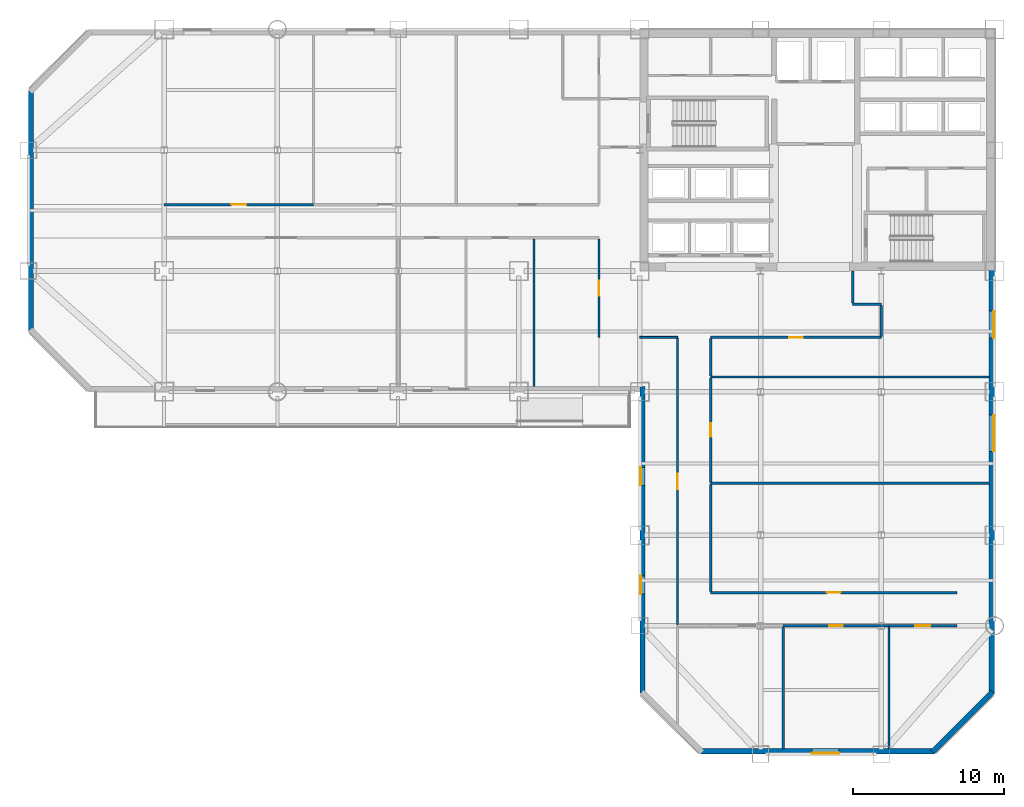
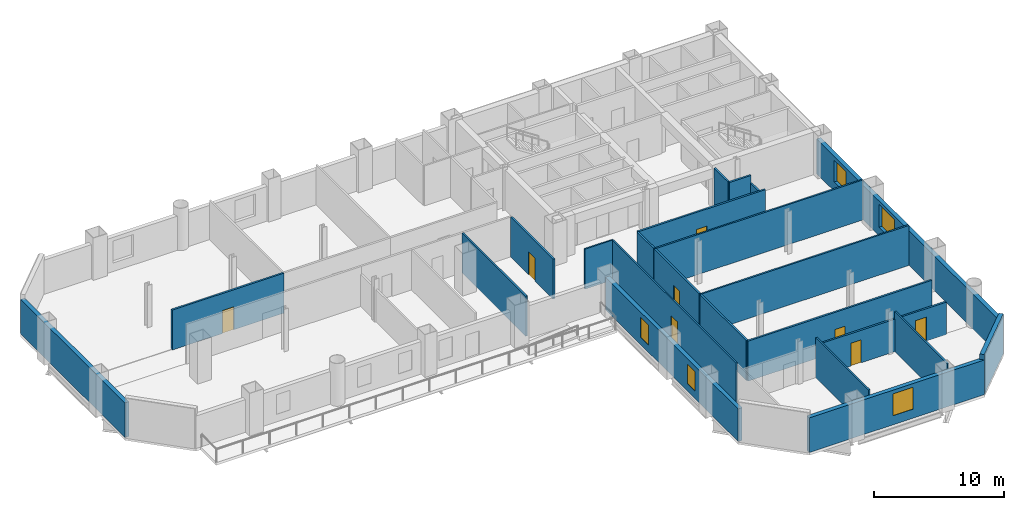
# One storey, part 5 of 9: 24 walls, 8 doors, 5 windows, 13 openings.
"""IFC4 building model written with IfcOpenShell, lengths in metres."""

from ifc_helpers import new_model, si_unit, direction, frame, frame_2d, origin, place, context, subcontext, project, spatial, rectangle, extrude, material, layer, layer_set, type_object, element, fill, save


model = new_model("IFC4")

# Units and contexts
model_context = context("Model", 3, precision=1e-05, world=origin(), true_north=direction((0.0, 1.0)))
body_context = subcontext(model_context, "Body", "Model", "MODEL_VIEW")
ifc_project = project(units=[si_unit("LENGTHUNIT", "METRE"), si_unit("AREAUNIT", "SQUARE_METRE"), si_unit("VOLUMEUNIT", "CUBIC_METRE"), si_unit("PLANEANGLEUNIT", "RADIAN"), si_unit("MASSUNIT", "GRAM", prefix="KILO")], contexts=[model_context])

# Site, building, storey
site_placement = place(None, origin())
site = spatial("IfcSite", under=ifc_project, at=site_placement, CompositionType="ELEMENT")
building_placement = place(site_placement, origin())
building = spatial("IfcBuilding", under=site, at=building_placement, Name="Qianrong Seaharbour Tower", CompositionType="ELEMENT")
storey_placement = place(building_placement, frame((0.0, 0.0, 100.199951171875)))
storey = spatial("IfcBuildingStorey", under=building, at=storey_placement, Name="L24", CompositionType="ELEMENT", Elevation=100.199951171875)

# Wall, opening, door
ifc_material_1 = material(Name="Fire-rated acoustic gypsum board partition")
ifc_layer_1 = layer(ifc_material_1, 0.1650390625)
ifc_layer_set_1 = layer_set([ifc_layer_1], Name="Fire-rated acoustic gypsum board partition")
wall_type_1 = type_object("IfcWallType", Name="WALL-CORR-PART-165", PredefinedType="PARTITIONING", material=ifc_layer_set_1)
wall_1_placement = place(storey_placement, frame((9.0, 40.39990234375, 0.0), z_axis=(0.0, 0.0, 1.0), x_axis=(1.0, 0.0, 0.0)))
wall_1 = element("IfcWall", 1, at=wall_1_placement, inside=storey, type_object=wall_type_1, Name="L24 Interior Partition Wall 015", PredefinedType="PARTITIONING", context=body_context, shape_type="SweptSolid", body=[
    extrude(rectangle(XDim=9.89990234375, YDim=0.1650390625, at=frame_2d((4.949951171875, 0.0))), origin(), (0.0, 0.0, 1.0), 3.75),
])
opening_1_placement = place(wall_1_placement, frame((4.449951171875, 0.0, 0.0)))
opening_1 = element("IfcOpeningElement", 2, at=opening_1_placement, cuts=wall_1, Name="Opening DO-01", PredefinedType="OPENING", context=body_context, shape_type="SweptSolid", body=[
    extrude(rectangle(XDim=1.0, YDim=2.14990234375, at=frame_2d((0.5, 1.074951171875))), frame((0.0, 0.092529296875, 0.0), z_axis=(0.0, -1.0, 0.0), x_axis=(1.0, 0.0, 0.0)), (0.0, 0.0, 1.0), 0.18505859375),
])
ifc_material_2 = material(Name="Acoustic timber and galvanized steel fire door assembly", Category="steel")
door_type_1 = type_object("IfcDoorType", Name="DOOR-OFFICE-1000x2150", OperationType="NOTDEFINED", PredefinedType="DOOR", material=ifc_material_2)
door_1_placement = place(opening_1_placement, origin())
door_1 = element("IfcDoor", 3, at=door_1_placement, inside=storey, type_object=door_type_1, Name="L24 Legal Support Open-Plan Office Door", OperationType="SINGLE_SWING_LEFT", OverallHeight=2.14990234375, OverallWidth=1.0, PredefinedType="DOOR", context=body_context, shape_type="SweptSolid", body=[
    extrude(rectangle(XDim=1.0, YDim=2.14990234375, at=frame_2d((0.5, 1.074951171875))), frame((0.0, 0.02490234375, 0.0), z_axis=(0.0, -1.0, 0.0), x_axis=(1.0, 0.0, 0.0)), (0.0, 0.0, 1.0), 0.050048828125),
])
fill(opening_1, door_1)

wall_2_placement = place(storey_placement, frame((37.800048828125, 31.60009765625, 0.0), z_axis=(0.0, 0.0, 1.0), x_axis=(0.0, 1.0, 0.0)))
wall_2 = element("IfcWall", 4, at=wall_2_placement, inside=storey, type_object=wall_type_1, Name="L24 Interior Partition Wall 023", PredefinedType="PARTITIONING", context=body_context, shape_type="SweptSolid", body=[
    extrude(rectangle(XDim=6.525390625, YDim=0.1650390625, at=frame_2d((3.2626953125, 0.0))), origin(), (0.0, 0.0, 1.0), 3.75),
])
opening_2_placement = place(wall_2_placement, frame((2.7626953125, 0.0, 0.0)))
opening_2 = element("IfcOpeningElement", 5, at=opening_2_placement, cuts=wall_2, Name="Opening DO-01", PredefinedType="OPENING", context=body_context, shape_type="SweptSolid", body=[
    extrude(rectangle(XDim=1.0, YDim=2.14990234375, at=frame_2d((0.5, 1.074951171875))), frame((0.0, 0.092529296875, 0.0), z_axis=(0.0, -1.0, 0.0), x_axis=(1.0, 0.0, 0.0)), (0.0, 0.0, 1.0), 0.18505859375),
])
door_2_placement = place(opening_2_placement, origin())
door_2 = element("IfcDoor", 6, at=door_2_placement, inside=storey, type_object=door_type_1, Name="L24 Focus Room 3 Door", OperationType="SINGLE_SWING_RIGHT", OverallHeight=2.14990234375, OverallWidth=1.0, PredefinedType="DOOR", context=body_context, shape_type="SweptSolid", body=[
    extrude(rectangle(XDim=1.0, YDim=2.14990234375, at=frame_2d((0.5, 1.074951171875))), frame((0.0, 0.02490234375, 0.0), z_axis=(0.0, -1.0, 0.0), x_axis=(1.0, 0.0, 0.0)), (0.0, 0.0, 1.0), 0.050048828125),
])
fill(opening_2, door_2)

# Walls
wall_3_placement = place(storey_placement, frame((54.60009765625, 36.0, 0.0), z_axis=(0.0, 0.0, 1.0), x_axis=(0.0, -1.0, 0.0)))
element("IfcWall", 7, at=wall_3_placement, inside=storey, type_object=wall_type_1, Name="L24 Interior Partition Wall 024", PredefinedType="PARTITIONING", context=body_context, shape_type="SweptSolid", body=[
    extrude(rectangle(XDim=2.12548828125, YDim=0.1650390625, at=frame_2d((1.062744140625, 0.0))), origin(), (0.0, 0.0, 1.0), 3.75),
])
wall_4_placement = place(storey_placement, frame((54.60009765625, 33.800048828125, 0.0), z_axis=(0.0, 0.0, 1.0), x_axis=(1.0, 0.0, 0.0)))
element("IfcWall", 8, at=wall_4_placement, inside=storey, type_object=wall_type_1, Name="L24 Interior Partition Wall 025", PredefinedType="PARTITIONING", context=body_context, shape_type="SweptSolid", body=[
    extrude(rectangle(XDim=1.89990234375, YDim=0.1650390625, at=frame_2d((0.949951171875, 0.0))), origin(), (0.0, 0.0, 1.0), 3.75),
])
wall_5_placement = place(storey_placement, frame((56.5, 33.7255859375, 0.0), z_axis=(0.0, 0.0, 1.0), x_axis=(0.0, -1.0, 0.0)))
element("IfcWall", 9, at=wall_5_placement, inside=storey, type_object=wall_type_1, Name="L24 Interior Partition Wall 026", PredefinedType="PARTITIONING", context=body_context, shape_type="SweptSolid", body=[
    extrude(rectangle(XDim=2.051025390625, YDim=0.1650390625, at=frame_2d((1.025390625, 0.0))), origin(), (0.0, 0.0, 1.0), 3.0419921875),
])

# Wall, opening, door
wall_6_placement = place(storey_placement, frame((56.5, 31.60009765625, 0.0), z_axis=(0.0, 0.0, 1.0), x_axis=(-1.0, 0.0, 0.0)))
wall_6 = element("IfcWall", 10, at=wall_6_placement, inside=storey, type_object=wall_type_1, Name="L24 Interior Partition Wall 027", PredefinedType="PARTITIONING", context=body_context, shape_type="SweptSolid", body=[
    extrude(rectangle(XDim=11.300048828125, YDim=0.1650390625, at=frame_2d((5.64990234375, 0.0))), origin(), (0.0, 0.0, 1.0), 3.75),
])
opening_3_placement = place(wall_6_placement, frame((5.199951171875, 0.0, 0.0)))
opening_3 = element("IfcOpeningElement", 11, at=opening_3_placement, cuts=wall_6, Name="Opening DS-01", PredefinedType="OPENING", context=body_context, shape_type="SweptSolid", body=[
    extrude(rectangle(XDim=0.89990234375, YDim=2.14990234375, at=frame_2d((0.449951171875, 1.074951171875))), frame((0.0, 0.092529296875, 0.0), z_axis=(0.0, -1.0, 0.0), x_axis=(1.0, 0.0, 0.0)), (0.0, 0.0, 1.0), 0.18505859375),
])
door_type_2 = type_object("IfcDoorType", Name="DOOR-STORE-900x2150", OperationType="NOTDEFINED", PredefinedType="DOOR", material=ifc_material_2)
door_3_placement = place(opening_3_placement, origin())
door_3 = element("IfcDoor", 12, at=door_3_placement, inside=storey, type_object=door_type_2, Name="L24 Document Registry Store 3 Door", OperationType="SINGLE_SWING_LEFT", OverallHeight=2.14990234375, OverallWidth=0.89990234375, PredefinedType="DOOR", context=body_context, shape_type="SweptSolid", body=[
    extrude(rectangle(XDim=0.89990234375, YDim=2.14990234375, at=frame_2d((0.449951171875, 1.074951171875))), frame((0.0, 0.02490234375, 0.0), z_axis=(0.0, -1.0, 0.0), x_axis=(1.0, 0.0, 0.0)), (0.0, 0.0, 1.0), 0.050048828125),
])
fill(opening_3, door_3)

# Wall
wall_7_placement = place(storey_placement, frame((45.199951171875, 21.87548828125, 0.0), z_axis=(0.0, 0.0, 1.0), x_axis=(0.0, -1.0, 0.0)))
element("IfcWall", 13, at=wall_7_placement, inside=storey, type_object=wall_type_1, Name="L24 Interior Partition Wall 029", PredefinedType="PARTITIONING", context=body_context, shape_type="SweptSolid", body=[
    extrude(rectangle(XDim=7.10107421875, YDim=0.1650390625, at=frame_2d((3.550537109375, 0.0))), origin(), (0.0, 0.0, 1.0), 3.75),
])

# Wall, opening, door
wall_8_placement = place(storey_placement, frame((45.199951171875, 28.905517578125, 0.0), z_axis=(0.0, 0.0, 1.0), x_axis=(0.0, -1.0, 0.0)))
wall_8 = element("IfcWall", 14, at=wall_8_placement, inside=storey, type_object=wall_type_1, Name="L24 Interior Partition Wall 030", PredefinedType="PARTITIONING", context=body_context, shape_type="SweptSolid", body=[
    extrude(rectangle(XDim=6.901123046875, YDim=0.1650390625, at=frame_2d((3.45068359375, 0.0))), origin(), (0.0, 0.0, 1.0), 3.75),
])
opening_4_placement = place(wall_8_placement, frame((3.00048828125, 0.0, 0.0)))
opening_4 = element("IfcOpeningElement", 15, at=opening_4_placement, cuts=wall_8, Name="Opening DS-01", PredefinedType="OPENING", context=body_context, shape_type="SweptSolid", body=[
    extrude(rectangle(XDim=0.89990234375, YDim=2.14990234375, at=frame_2d((0.449951171875, 1.074951171875))), frame((0.0, 0.092529296875, 0.0), z_axis=(0.0, -1.0, 0.0), x_axis=(1.0, 0.0, 0.0)), (0.0, 0.0, 1.0), 0.18505859375),
])
door_4_placement = place(opening_4_placement, origin())
door_4 = element("IfcDoor", 16, at=door_4_placement, inside=storey, type_object=door_type_2, Name="L24 Closed File Store 2 Door", OperationType="SINGLE_SWING_RIGHT", OverallHeight=2.14990234375, OverallWidth=0.89990234375, PredefinedType="DOOR", context=body_context, shape_type="SweptSolid", body=[
    extrude(rectangle(XDim=0.89990234375, YDim=2.14990234375, at=frame_2d((0.449951171875, 1.074951171875))), frame((0.0, 0.02490234375, 0.0), z_axis=(0.0, -1.0, 0.0), x_axis=(1.0, 0.0, 0.0)), (0.0, 0.0, 1.0), 0.050048828125),
])
fill(opening_4, door_4)

# Wall
wall_9_placement = place(storey_placement, frame((45.199951171875, 31.525390625, 0.0), z_axis=(0.0, 0.0, 1.0), x_axis=(0.0, -1.0, 0.0)))
element("IfcWall", 17, at=wall_9_placement, inside=storey, type_object=wall_type_1, Name="L24 Interior Partition Wall 031", PredefinedType="PARTITIONING", context=body_context, shape_type="SweptSolid", body=[
    extrude(rectangle(XDim=2.490966796875, YDim=0.1650390625, at=frame_2d((1.24560546875, 0.0))), origin(), (0.0, 0.0, 1.0), 3.75),
])

# Wall, opening, door
wall_10_placement = place(storey_placement, frame((45.199951171875, 14.699951171875, 0.0), z_axis=(0.0, 0.0, 1.0), x_axis=(1.0, 0.0, 0.0)))
wall_10 = element("IfcWall", 18, at=wall_10_placement, inside=storey, type_object=wall_type_1, Name="L24 Interior Partition Wall 034", PredefinedType="PARTITIONING", context=body_context, shape_type="SweptSolid", body=[
    extrude(rectangle(XDim=16.300048828125, YDim=0.1650390625, at=frame_2d((8.14990234375, 0.0))), origin(), (0.0, 0.0, 1.0), 3.75),
])
opening_5_placement = place(wall_10_placement, frame((7.699951171875, 0.0, 0.0)))
opening_5 = element("IfcOpeningElement", 19, at=opening_5_placement, cuts=wall_10, Name="Opening DS-01", PredefinedType="OPENING", context=body_context, shape_type="SweptSolid", body=[
    extrude(rectangle(XDim=0.89990234375, YDim=2.14990234375, at=frame_2d((0.449951171875, 1.074951171875))), frame((0.0, 0.092529296875, 0.0), z_axis=(0.0, -1.0, 0.0), x_axis=(1.0, 0.0, 0.0)), (0.0, 0.0, 1.0), 0.18505859375),
])
door_5_placement = place(opening_5_placement, origin())
door_5 = element("IfcDoor", 20, at=door_5_placement, inside=storey, type_object=door_type_2, Name="L24 Docket Archive Store 1 Door", OperationType="SINGLE_SWING_LEFT", OverallHeight=2.14990234375, OverallWidth=0.89990234375, PredefinedType="DOOR", context=body_context, shape_type="SweptSolid", body=[
    extrude(rectangle(XDim=0.89990234375, YDim=2.14990234375, at=frame_2d((0.449951171875, 1.074951171875))), frame((0.0, 0.02490234375, 0.0), z_axis=(0.0, -1.0, 0.0), x_axis=(1.0, 0.0, 0.0)), (0.0, 0.0, 1.0), 0.050048828125),
])
fill(opening_5, door_5)

wall_11_placement = place(storey_placement, frame((57.0, 12.5, 0.0), z_axis=(0.0, 0.0, 1.0), x_axis=(-1.0, 0.0, 0.0)))
wall_11 = element("IfcWall", 21, at=wall_11_placement, inside=storey, type_object=wall_type_1, Name="L24 Interior Partition Wall 036", PredefinedType="PARTITIONING", context=body_context, shape_type="SweptSolid", body=[
    extrude(rectangle(XDim=7.0, YDim=0.1650390625, at=frame_2d((3.5, 0.0))), origin(), (0.0, 0.0, 1.0), 3.0419921875),
])
opening_6_placement = place(wall_11_placement, frame((3.050048828125, 0.0, 0.0)))
opening_6 = element("IfcOpeningElement", 22, at=opening_6_placement, cuts=wall_11, Name="Opening DS-01", PredefinedType="OPENING", context=body_context, shape_type="SweptSolid", body=[
    extrude(rectangle(XDim=0.89990234375, YDim=2.14990234375, at=frame_2d((0.449951171875, 1.074951171875))), frame((0.0, 0.092529296875, 0.0), z_axis=(0.0, -1.0, 0.0), x_axis=(1.0, 0.0, 0.0)), (0.0, 0.0, 1.0), 0.18505859375),
])
door_6_placement = place(opening_6_placement, origin())
door_6 = element("IfcDoor", 23, at=door_6_placement, inside=storey, type_object=door_type_2, Name="L24 Corporate Archive Room 2 Door", OperationType="SINGLE_SWING_RIGHT", OverallHeight=2.14990234375, OverallWidth=0.89990234375, PredefinedType="DOOR", context=body_context, shape_type="SweptSolid", body=[
    extrude(rectangle(XDim=0.89990234375, YDim=2.14990234375, at=frame_2d((0.449951171875, 1.074951171875))), frame((0.0, 0.02490234375, 0.0), z_axis=(0.0, -1.0, 0.0), x_axis=(1.0, 0.0, 0.0)), (0.0, 0.0, 1.0), 0.050048828125),
])
fill(opening_6, door_6)

wall_12_placement = place(storey_placement, frame((61.5, 12.5, 0.0), z_axis=(0.0, 0.0, 1.0), x_axis=(-1.0, 0.0, 0.0)))
wall_12 = element("IfcWall", 24, at=wall_12_placement, inside=storey, type_object=wall_type_1, Name="L24 Interior Partition Wall 037", PredefinedType="PARTITIONING", context=body_context, shape_type="SweptSolid", body=[
    extrude(rectangle(XDim=4.5, YDim=0.1650390625, at=frame_2d((2.25, 0.0))), origin(), (0.0, 0.0, 1.0), 3.0419921875),
])
opening_7_placement = place(wall_12_placement, frame((1.760009765625, 0.0, 0.0)))
opening_7 = element("IfcOpeningElement", 25, at=opening_7_placement, cuts=wall_12, Name="Opening DE-01", PredefinedType="OPENING", context=body_context, shape_type="SweptSolid", body=[
    extrude(rectangle(XDim=0.97998046875, YDim=2.25, at=frame_2d((0.489990234375, 1.125))), frame((0.0, 0.092529296875, 0.0), z_axis=(0.0, -1.0, 0.0), x_axis=(1.0, 0.0, 0.0)), (0.0, 0.0, 1.0), 0.18505859375),
])
door_type_3 = type_object("IfcDoorType", Name="DOOR-EXEC-980x2250", OperationType="NOTDEFINED", PredefinedType="DOOR", material=ifc_material_2)
door_7_placement = place(opening_7_placement, origin())
door_7 = element("IfcDoor", 26, at=door_7_placement, inside=storey, type_object=door_type_3, Name="L24 Senior Partner Office 3 Door", OperationType="SINGLE_SWING_LEFT", OverallHeight=2.25, OverallWidth=0.97998046875, PredefinedType="DOOR", context=body_context, shape_type="SweptSolid", body=[
    extrude(rectangle(XDim=0.97998046875, YDim=2.25, at=frame_2d((0.489990234375, 1.125))), frame((0.0, 0.02490234375, 0.0), z_axis=(0.0, -1.0, 0.0), x_axis=(1.0, 0.0, 0.0)), (0.0, 0.0, 1.0), 0.050048828125),
])
fill(opening_7, door_7)

# Wall, openings, windows
ifc_material_3 = material(Name="Unitised red brick on Precast concrete C45/55", Category="masonry")
ifc_layer_2 = layer(ifc_material_3, 0.360107421875)
ifc_layer_set_2 = layer_set([ifc_layer_2], Name="Unitised red brick on Precast concrete C45/55")
wall_type_2 = type_object("IfcWallType", Name="WALL-EXT-BRICK-RED-360", PredefinedType="SOLIDWALL", material=ifc_layer_set_2)
wall_13_placement = place(storey_placement, frame((40.679931640625, 8.0, 0.0), z_axis=(0.0, 0.0, 1.0), x_axis=(0.0, 1.0, 0.0)))
wall_13 = element("IfcWall", 27, at=wall_13_placement, inside=storey, type_object=wall_type_2, Name="L24 Exterior Masonry Facade Wall REENTRANT_WEST", PredefinedType="SOLIDWALL", context=body_context, shape_type="SweptSolid", body=[
    extrude(rectangle(XDim=20.360107421875, YDim=0.360107421875, at=frame_2d((10.18017578125, 0.0))), origin(), (0.0, 0.0, 1.0), 3.050048828125),
])
opening_8_placement = place(wall_13_placement, frame((6.60009765625, 0.0, 0.699951171875)))
opening_8 = element("IfcOpeningElement", 28, at=opening_8_placement, cuts=wall_13, Name="Opening WN-01", PredefinedType="OPENING", context=body_context, shape_type="SweptSolid", body=[
    extrude(rectangle(XDim=1.199951171875, YDim=1.85009765625, at=frame_2d((0.60009765625, 0.925048828125))), frame((0.0, 0.18994140625, 0.0), z_axis=(0.0, -1.0, 0.0), x_axis=(1.0, 0.0, 0.0)), (0.0, 0.0, 1.0), 0.380126953125),
])
opening_9_placement = place(wall_13_placement, frame((13.800048828125, 0.0, 0.699951171875)))
opening_9 = element("IfcOpeningElement", 29, at=opening_9_placement, cuts=wall_13, Name="Opening WN-01", PredefinedType="OPENING", context=body_context, shape_type="SweptSolid", body=[
    extrude(rectangle(XDim=1.199951171875, YDim=1.85009765625, at=frame_2d((0.60009765625, 0.925048828125))), frame((0.0, 0.18994140625, 0.0), z_axis=(0.0, -1.0, 0.0), x_axis=(1.0, 0.0, 0.0)), (0.0, 0.0, 1.0), 0.380126953125),
])
ifc_material_4 = material(Name="Insulated low-e double glazing in thermally broken aluminium 6063-T6 frame", Category="aluminium")
window_type_1 = type_object("IfcWindowType", Name="WIN-PUNCH-1200x1850", PartitioningType="DOUBLE_PANEL_VERTICAL", PredefinedType="WINDOW", material=ifc_material_4)
window_1_placement = place(opening_8_placement, origin())
window_1 = element("IfcWindow", 30, at=window_1_placement, inside=storey, type_object=window_type_1, Name="L24 Deep-Set Punched Window 00.02", OverallHeight=1.85009765625, OverallWidth=1.199951171875, PartitioningType="DOUBLE_PANEL_VERTICAL", PredefinedType="WINDOW", context=body_context, shape_type="SweptSolid", body=[
    extrude(rectangle(XDim=1.199951171875, YDim=1.85009765625, at=frame_2d((0.60009765625, 0.925048828125))), frame((0.0, 0.150146484375, 0.0), z_axis=(0.0, -1.0, 0.0), x_axis=(1.0, 0.0, 0.0)), (0.0, 0.0, 1.0), 0.06005859375),
])
fill(opening_8, window_1)
window_2_placement = place(opening_9_placement, origin())
window_2 = element("IfcWindow", 31, at=window_2_placement, inside=storey, type_object=window_type_1, Name="L24 Deep-Set Punched Window 00.04", OverallHeight=1.85009765625, OverallWidth=1.199951171875, PartitioningType="DOUBLE_PANEL_VERTICAL", PredefinedType="WINDOW", context=body_context, shape_type="SweptSolid", body=[
    extrude(rectangle(XDim=1.199951171875, YDim=1.85009765625, at=frame_2d((0.60009765625, 0.925048828125))), frame((0.0, 0.150146484375, 0.0), z_axis=(0.0, -1.0, 0.0), x_axis=(1.0, 0.0, 0.0)), (0.0, 0.0, 1.0), 0.06005859375),
])
fill(opening_9, window_2)

# Wall
wall_14_placement = place(storey_placement, frame((0.179931640625, 32.0, 0.0), z_axis=(0.0, 0.0, 1.0), x_axis=(0.0, 1.0, 0.0)))
element("IfcWall", 32, at=wall_14_placement, inside=storey, type_object=wall_type_2, Name="L24 Exterior Masonry Facade Wall WEST_TIP", PredefinedType="SOLIDWALL", context=body_context, shape_type="SweptSolid", body=[
    extrude(rectangle(XDim=16.0, YDim=0.360107421875, at=frame_2d((8.0, 0.0))), origin(), (0.0, 0.0, 1.0), 3.25),
])

# Wall, openings, windows
wall_15_placement = place(storey_placement, frame((63.820068359375, 36.050048828125, 0.0), z_axis=(0.0, 0.0, 1.0), x_axis=(0.0, -1.0, 0.0)))
wall_15 = element("IfcWall", 33, at=wall_15_placement, inside=storey, type_object=wall_type_2, Name="L24 Exterior Masonry Facade Wall EAST_WING", PredefinedType="SOLIDWALL", context=body_context, shape_type="SweptSolid", body=[
    extrude(rectangle(XDim=28.050048828125, YDim=0.360107421875, at=frame_2d((14.02490234375, 0.0))), origin(), (0.0, 0.0, 1.0), 3.25),
])
opening_10_placement = place(wall_15_placement, frame((2.699951171875, 0.0, 0.85009765625)))
opening_10 = element("IfcOpeningElement", 34, at=opening_10_placement, cuts=wall_15, Name="Opening WN-05", PredefinedType="OPENING", context=body_context, shape_type="SweptSolid", body=[
    extrude(rectangle(XDim=1.800048828125, YDim=2.050048828125, at=frame_2d((0.89990234375, 1.02490234375))), frame((0.0, 0.18994140625, 0.0), z_axis=(0.0, -1.0, 0.0), x_axis=(1.0, 0.0, 0.0)), (0.0, 0.0, 1.0), 0.380126953125),
])
opening_11_placement = place(wall_15_placement, frame((9.60009765625, 0.0, 0.800048828125)))
opening_11 = element("IfcOpeningElement", 35, at=opening_11_placement, cuts=wall_15, Name="Opening WN-07", PredefinedType="OPENING", context=body_context, shape_type="SweptSolid", body=[
    extrude(rectangle(XDim=2.39990234375, YDim=2.14990234375, at=frame_2d((1.199951171875, 1.074951171875))), frame((0.0, 0.18994140625, 0.0), z_axis=(0.0, -1.0, 0.0), x_axis=(1.0, 0.0, 0.0)), (0.0, 0.0, 1.0), 0.380126953125),
])
window_type_2 = type_object("IfcWindowType", Name="WIN-PUNCH-1800x2050", PartitioningType="TRIPLE_PANEL_VERTICAL", PredefinedType="WINDOW", material=ifc_material_4)
window_3_placement = place(opening_10_placement, origin())
window_3 = element("IfcWindow", 36, at=window_3_placement, inside=storey, type_object=window_type_2, Name="L24 Deep-Set Punched Window 06.01", OverallHeight=2.050048828125, OverallWidth=1.800048828125, PartitioningType="TRIPLE_PANEL_VERTICAL", PredefinedType="WINDOW", context=body_context, shape_type="SweptSolid", body=[
    extrude(rectangle(XDim=1.800048828125, YDim=2.050048828125, at=frame_2d((0.89990234375, 1.02490234375))), frame((0.0, 0.150146484375, 0.0), z_axis=(0.0, -1.0, 0.0), x_axis=(1.0, 0.0, 0.0)), (0.0, 0.0, 1.0), 0.06005859375),
])
fill(opening_10, window_3)
window_type_3 = type_object("IfcWindowType", Name="WIN-PUNCH-2400x2150", PartitioningType="TRIPLE_PANEL_VERTICAL", PredefinedType="WINDOW", material=ifc_material_4)
window_4_placement = place(opening_11_placement, origin())
window_4 = element("IfcWindow", 37, at=window_4_placement, inside=storey, type_object=window_type_3, Name="L24 Deep-Set Punched Window 06.03", OverallHeight=2.14990234375, OverallWidth=2.39990234375, PartitioningType="TRIPLE_PANEL_VERTICAL", PredefinedType="WINDOW", context=body_context, shape_type="SweptSolid", body=[
    extrude(rectangle(XDim=2.39990234375, YDim=2.14990234375, at=frame_2d((1.199951171875, 1.074951171875))), frame((0.0, 0.150146484375, 0.0), z_axis=(0.0, -1.0, 0.0), x_axis=(1.0, 0.0, 0.0)), (0.0, 0.0, 1.0), 0.06005859375),
])
fill(opening_11, window_4)

# Wall
wall_16_placement = place(storey_placement, frame((63.872802734375, 8.127197265625, 0.0), z_axis=(0.0, 0.0, 1.0), x_axis=(-0.707106781187, -0.707106781187, 0.0)))
element("IfcWall", 38, at=wall_16_placement, inside=storey, type_object=wall_type_2, Name="L24 Exterior Masonry Facade Wall E07", PredefinedType="SOLIDWALL", context=body_context, shape_type="SweptSolid", body=[
    extrude(rectangle(XDim=5.65673828125, YDim=0.360107421875, at=frame_2d((2.828369140625, 0.0))), origin(), (0.0, 0.0, 1.0), 3.75),
])

# Wall, opening, window
wall_17_placement = place(storey_placement, frame((60.0, 4.179931640625, 0.0), z_axis=(0.0, 0.0, 1.0), x_axis=(-1.0, 0.0, 0.0)))
wall_17 = element("IfcWall", 39, at=wall_17_placement, inside=storey, type_object=wall_type_2, Name="L24 Exterior Masonry Facade Wall SOUTH_TIP", PredefinedType="SOLIDWALL", context=body_context, shape_type="SweptSolid", body=[
    extrude(rectangle(XDim=15.5, YDim=0.360107421875, at=frame_2d((7.75, 0.0))), origin(), (0.0, 0.0, 1.0), 3.25),
])
opening_12_placement = place(wall_17_placement, frame((6.300048828125, 0.0, 0.85009765625)))
opening_12 = element("IfcOpeningElement", 40, at=opening_12_placement, cuts=wall_17, Name="Opening WN-05", PredefinedType="OPENING", context=body_context, shape_type="SweptSolid", body=[
    extrude(rectangle(XDim=1.800048828125, YDim=2.050048828125, at=frame_2d((0.89990234375, 1.02490234375))), frame((0.0, 0.18994140625, 0.0), z_axis=(0.0, -1.0, 0.0), x_axis=(1.0, 0.0, 0.0)), (0.0, 0.0, 1.0), 0.380126953125),
])
window_5_placement = place(opening_12_placement, origin())
window_5 = element("IfcWindow", 41, at=window_5_placement, inside=storey, type_object=window_type_2, Name="L24 Deep-Set Punched Window 08.02", OverallHeight=2.050048828125, OverallWidth=1.800048828125, PartitioningType="TRIPLE_PANEL_VERTICAL", PredefinedType="WINDOW", context=body_context, shape_type="SweptSolid", body=[
    extrude(rectangle(XDim=1.800048828125, YDim=2.050048828125, at=frame_2d((0.89990234375, 1.02490234375))), frame((0.0, 0.150146484375, 0.0), z_axis=(0.0, -1.0, 0.0), x_axis=(1.0, 0.0, 0.0)), (0.0, 0.0, 1.0), 0.06005859375),
])
fill(opening_12, window_5)

# Walls
ifc_material_5 = material(Name="Acoustic gypsum board stud partition")
ifc_layer_3 = layer(ifc_material_5, 0.14501953125)
ifc_layer_set_3 = layer_set([ifc_layer_3], Name="Acoustic gypsum board stud partition")
wall_type_3 = type_object("IfcWallType", Name="WALL-OFFICE-PART-145", PredefinedType="PARTITIONING", material=ifc_layer_set_3)
wall_18_placement = place(storey_placement, frame((33.5, 38.12548828125, 0.0), z_axis=(0.0, 0.0, 1.0), x_axis=(0.0, -1.0, 0.0)))
element("IfcWall", 42, at=wall_18_placement, inside=storey, type_object=wall_type_3, Name="L24 Interior Partition Wall 042", PredefinedType="PARTITIONING", context=body_context, shape_type="SweptSolid", body=[
    extrude(rectangle(XDim=9.7734375, YDim=0.14501953125, at=frame_2d((4.88671875, 0.0))), origin(), (0.0, 0.0, 1.0), 3.75),
])
for number, where, z_axis, x_axis, name in (
    (43, (45.199951171875, 21.93994140625, 0.0), (0.0, 0.0, 1.0), (1.0, 0.0, 0.0), "L24 Interior Partition Wall 043"),
    (44, (45.199951171875, 28.969970703125, 0.0), (0.0, 0.0, 1.0), (1.0, 0.0, 0.0), "L24 Interior Partition Wall 044"),
):
    element("IfcWall", number, at=place(storey_placement, frame(where, z_axis=z_axis, x_axis=x_axis)), inside=storey, type_object=wall_type_3, Name=name, PredefinedType="PARTITIONING", context=body_context, shape_type="SweptSolid", body=[
        extrude(rectangle(XDim=18.447998046875, YDim=0.14501953125, at=frame_2d((9.22412109375, 0.0))), origin(), (0.0, 0.0, 1.0), 3.75),
    ])
for number, where, z_axis, x_axis, name in (
    (45, (50.0, 12.425537109375, 0.0), (0.0, 0.0, 1.0), (0.0, -1.0, 0.0), "L24 Interior Partition Wall 046"),
    (46, (57.0, 12.425537109375, 0.0), (0.0, 0.0, 1.0), (0.0, -1.0, 0.0), "L24 Interior Partition Wall 047"),
):
    element("IfcWall", number, at=place(storey_placement, frame(where, z_axis=z_axis, x_axis=x_axis)), inside=storey, type_object=wall_type_3, Name=name, PredefinedType="PARTITIONING", context=body_context, shape_type="SweptSolid", body=[
        extrude(rectangle(XDim=8.073486328125, YDim=0.14501953125, at=frame_2d((4.03662109375, 0.0))), origin(), (0.0, 0.0, 1.0), 3.75),
    ])
ifc_material_6 = material(Name="Water-resistant cement board sanitary partition")
ifc_layer_4 = layer(ifc_material_6, 0.1298828125)
ifc_layer_set_4 = layer_set([ifc_layer_4], Name="Water-resistant cement board sanitary partition")
wall_type_4 = type_object("IfcWallType", Name="WALL-WET-PART-130", PredefinedType="PARTITIONING", material=ifc_layer_set_4)
wall_19_placement = place(storey_placement, frame((43.0, 31.60009765625, 0.0), z_axis=(0.0, 0.0, 1.0), x_axis=(-1.0, 0.0, 0.0)))
element("IfcWall", 47, at=wall_19_placement, inside=storey, type_object=wall_type_4, Name="L24 Interior Partition Wall 028", PredefinedType="PARTITIONING", context=body_context, shape_type="SweptSolid", body=[
    extrude(rectangle(XDim=2.5, YDim=0.1298828125, at=frame_2d((1.25, 0.0))), origin(), (0.0, 0.0, 1.0), 3.75),
])

# Wall, opening, door
wall_20_placement = place(storey_placement, frame((43.0, 12.574462890625, 0.0), z_axis=(0.0, 0.0, 1.0), x_axis=(0.0, 1.0, 0.0)))
wall_20 = element("IfcWall", 48, at=wall_20_placement, inside=storey, type_object=wall_type_4, Name="L24 Interior Partition Wall 032", PredefinedType="PARTITIONING", context=body_context, shape_type="SweptSolid", body=[
    extrude(rectangle(XDim=18.968505859375, YDim=0.1298828125, at=frame_2d((9.484375, 0.0))), origin(), (0.0, 0.0, 1.0), 3.75),
])
opening_13_placement = place(wall_20_placement, frame((8.984130859375, 0.0, 0.0)))
opening_13 = element("IfcOpeningElement", 49, at=opening_13_placement, cuts=wall_20, Name="Opening DO-01", PredefinedType="OPENING", context=body_context, shape_type="SweptSolid", body=[
    extrude(rectangle(XDim=1.0, YDim=2.14990234375, at=frame_2d((0.5, 1.074951171875))), frame((0.0, 0.074951171875, 0.0), z_axis=(0.0, -1.0, 0.0), x_axis=(1.0, 0.0, 0.0)), (0.0, 0.0, 1.0), 0.14990234375),
])
door_8_placement = place(opening_13_placement, origin())
door_8 = element("IfcDoor", 50, at=door_8_placement, inside=storey, type_object=door_type_1, Name="L24 Wet Pantry Door", OperationType="SINGLE_SWING_RIGHT", OverallHeight=2.14990234375, OverallWidth=1.0, PredefinedType="DOOR", context=body_context, shape_type="SweptSolid", body=[
    extrude(rectangle(XDim=1.0, YDim=2.14990234375, at=frame_2d((0.5, 1.074951171875))), frame((0.0, 0.02490234375, 0.0), z_axis=(0.0, -1.0, 0.0), x_axis=(1.0, 0.0, 0.0)), (0.0, 0.0, 1.0), 0.050048828125),
])
fill(opening_13, door_8)

save(model, "model.ifc")
